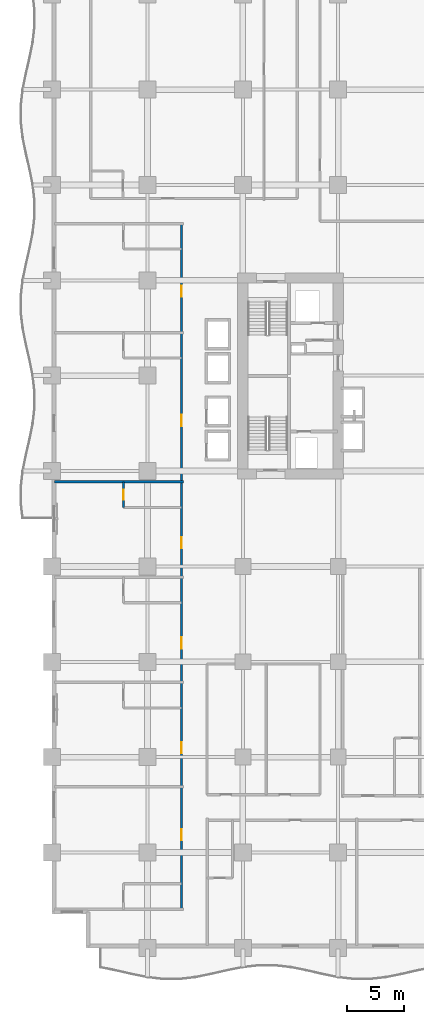
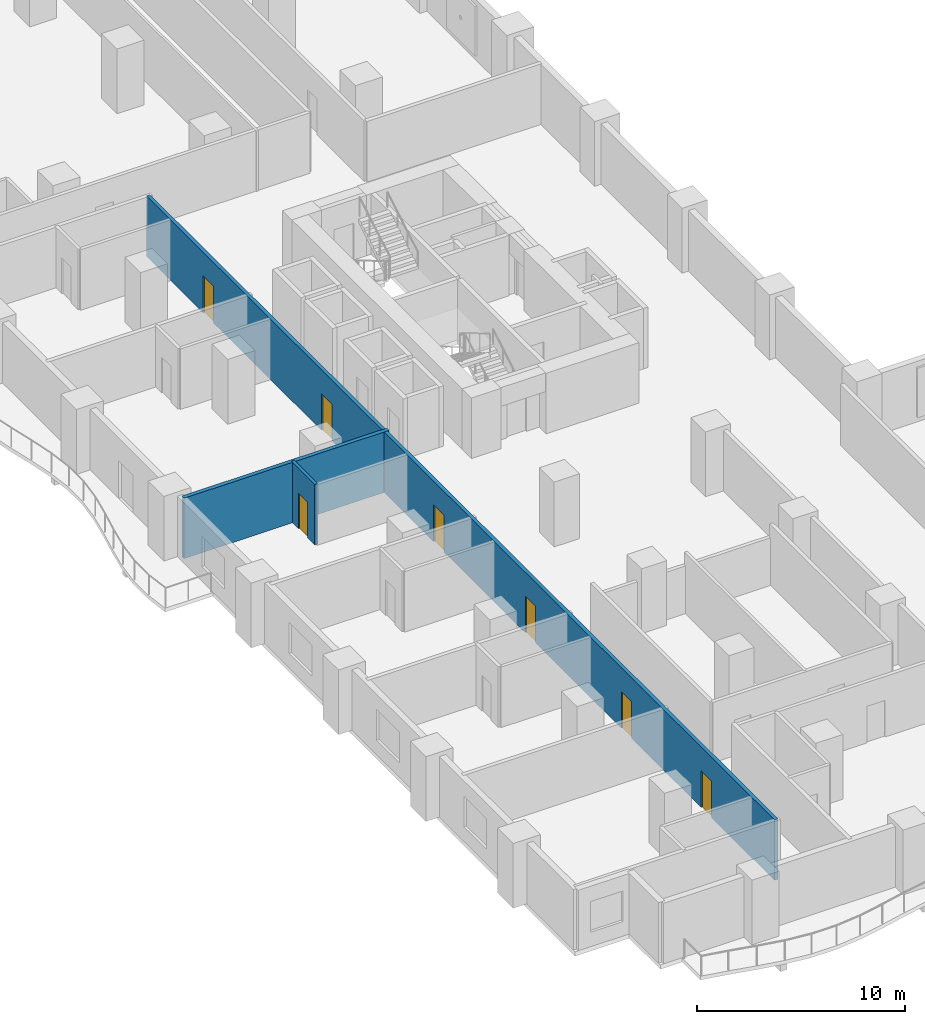
# One storey, part 8 of 22: 7 doors, 3 walls, 7 openings.
"""IFC4 building model written with IfcOpenShell, lengths in metres."""

from ifc_helpers import new_model, si_unit, direction, frame, frame_2d, origin, place, context, subcontext, project, spatial, rectangle, extrude, material, layer, layer_set, type_object, element, fill, save


model = new_model("IFC4")

# Units and contexts
model_context = context("Model", 3, precision=1e-05, world=origin(), true_north=direction((0.0, 1.0)))
body_context = subcontext(model_context, "Body", "Model", "MODEL_VIEW")
ifc_project = project(units=[si_unit("LENGTHUNIT", "METRE"), si_unit("AREAUNIT", "SQUARE_METRE"), si_unit("VOLUMEUNIT", "CUBIC_METRE"), si_unit("PLANEANGLEUNIT", "RADIAN"), si_unit("MASSUNIT", "GRAM", prefix="KILO")], contexts=[model_context])

# Site, building, storey
site_placement = place(None, origin())
site = spatial("IfcSite", under=ifc_project, at=site_placement, CompositionType="ELEMENT")
building_placement = place(site_placement, origin())
building = spatial("IfcBuilding", under=site, at=building_placement, Name="Koriwani Terraces Tower", CompositionType="ELEMENT")
storey_placement = place(building_placement, frame((0.0, 0.0, 43.39990234375)))
storey = spatial("IfcBuildingStorey", under=building, at=storey_placement, Name="L09", CompositionType="ELEMENT", Elevation=43.39990234375)

# Wall, openings, doors
ifc_material_1 = material(Name="Autoclaved Cellular Concrete Blockwork", Category="masonry")
ifc_layer_1 = layer(ifc_material_1, 0.199951171875, Name="Autoclaved Cellular Concrete Blockwork")
ifc_layer_set_1 = layer_set([ifc_layer_1], Name="Autoclaved Cellular Concrete Blockwork")
wall_type_1 = type_object("IfcWallType", Name="WALL_CORRIDOR_200", PredefinedType="PARTITIONING", material=ifc_layer_set_1)
wall_1_placement = place(storey_placement, frame((11.39990234375, 3.39990234375, 0.0), z_axis=(0.0, 0.0, 1.0), x_axis=(0.0, 1.0, 0.0)))
wall_1 = element("IfcWall", 1, at=wall_1_placement, inside=storey, type_object=wall_type_1, Name="L09 Interior Wall WCOR-L09-NW-0", PredefinedType="PARTITIONING", context=body_context, shape_type="SweptSolid", body=[
    extrude(rectangle(XDim=60.400146484375, YDim=0.199951171875, at=frame_2d((30.2001953125, 0.0))), origin(), (0.0, 0.0, 1.0), 3.550048828125),
])
opening_1_placement = place(wall_1_placement, frame((6.06494140625, 0.0, 0.0)))
opening_1 = element("IfcOpeningElement", 2, at=opening_1_placement, cuts=wall_1, Name="Opening D-05", PredefinedType="OPENING", context=body_context, shape_type="SweptSolid", body=[
    extrude(rectangle(XDim=1.0, YDim=2.14990234375, at=frame_2d((0.5, 1.074951171875))), frame((0.0, 0.10986328125, 0.0), z_axis=(0.0, -1.0, 0.0), x_axis=(1.0, 0.0, 0.0)), (0.0, 0.0, 1.0), 0.219970703125),
])
opening_2_placement = place(wall_1_placement, frame((13.735107421875, 0.0, 0.0)))
opening_2 = element("IfcOpeningElement", 3, at=opening_2_placement, cuts=wall_1, Name="Opening D-05", PredefinedType="OPENING", context=body_context, shape_type="SweptSolid", body=[
    extrude(rectangle(XDim=1.0, YDim=2.14990234375, at=frame_2d((0.5, 1.074951171875))), frame((0.0, 0.10986328125, 0.0), z_axis=(0.0, -1.0, 0.0), x_axis=(1.0, 0.0, 0.0)), (0.0, 0.0, 1.0), 0.219970703125),
])
opening_3_placement = place(wall_1_placement, frame((22.9599609375, 0.0, 0.0)))
opening_3 = element("IfcOpeningElement", 4, at=opening_3_placement, cuts=wall_1, Name="Opening D-05", PredefinedType="OPENING", context=body_context, shape_type="SweptSolid", body=[
    extrude(rectangle(XDim=1.0, YDim=2.14990234375, at=frame_2d((0.5, 1.074951171875))), frame((0.0, 0.10986328125, 0.0), z_axis=(0.0, -1.0, 0.0), x_axis=(1.0, 0.0, 0.0)), (0.0, 0.0, 1.0), 0.219970703125),
])
opening_4_placement = place(wall_1_placement, frame((31.784912109375, 0.0, 0.0)))
opening_4 = element("IfcOpeningElement", 5, at=opening_4_placement, cuts=wall_1, Name="Opening D-05", PredefinedType="OPENING", context=body_context, shape_type="SweptSolid", body=[
    extrude(rectangle(XDim=1.0, YDim=2.14990234375, at=frame_2d((0.5, 1.074951171875))), frame((0.0, 0.10986328125, 0.0), z_axis=(0.0, -1.0, 0.0), x_axis=(1.0, 0.0, 0.0)), (0.0, 0.0, 1.0), 0.219970703125),
])
opening_5_placement = place(wall_1_placement, frame((42.56005859375, 0.0, 0.0)))
opening_5 = element("IfcOpeningElement", 6, at=opening_5_placement, cuts=wall_1, Name="Opening D-05", PredefinedType="OPENING", context=body_context, shape_type="SweptSolid", body=[
    extrude(rectangle(XDim=1.0, YDim=2.14990234375, at=frame_2d((0.5, 1.074951171875))), frame((0.0, 0.10986328125, 0.0), z_axis=(0.0, -1.0, 0.0), x_axis=(1.0, 0.0, 0.0)), (0.0, 0.0, 1.0), 0.219970703125),
])
opening_6_placement = place(wall_1_placement, frame((53.93505859375, 0.0, 0.0)))
opening_6 = element("IfcOpeningElement", 7, at=opening_6_placement, cuts=wall_1, Name="Opening D-05", PredefinedType="OPENING", context=body_context, shape_type="SweptSolid", body=[
    extrude(rectangle(XDim=1.0, YDim=2.14990234375, at=frame_2d((0.5, 1.074951171875))), frame((0.0, 0.10986328125, 0.0), z_axis=(0.0, -1.0, 0.0), x_axis=(1.0, 0.0, 0.0)), (0.0, 0.0, 1.0), 0.219970703125),
])
ifc_material_2 = material(Name="Architectural Oak Fire Door", Category="wood")
door_type_1 = type_object("IfcDoorType", Name="DOOR_SUITE_ENTRY_1000X2150", OperationType="NOTDEFINED", PredefinedType="DOOR", material=ifc_material_2)
door_1_placement = place(opening_1_placement, origin())
door_1 = element("IfcDoor", 8, at=door_1_placement, inside=storey, type_object=door_type_1, Name="Luxury Hotel Suite 09NW1 Entrance Door", OperationType="SINGLE_SWING_LEFT", OverallHeight=2.14990234375, OverallWidth=1.0, PredefinedType="DOOR", context=body_context, shape_type="SweptSolid", body=[
    extrude(rectangle(XDim=1.0, YDim=2.14990234375, at=frame_2d((0.5, 1.074951171875))), frame((0.0, 0.02490234375, 0.0), z_axis=(0.0, -1.0, 0.0), x_axis=(1.0, 0.0, 0.0)), (0.0, 0.0, 1.0), 0.050048828125),
])
fill(opening_1, door_1)
door_2_placement = place(opening_2_placement, origin())
door_2 = element("IfcDoor", 9, at=door_2_placement, inside=storey, type_object=door_type_1, Name="Luxury Hotel Suite 09NW2 Entrance Door", OperationType="SINGLE_SWING_LEFT", OverallHeight=2.14990234375, OverallWidth=1.0, PredefinedType="DOOR", context=body_context, shape_type="SweptSolid", body=[
    extrude(rectangle(XDim=1.0, YDim=2.14990234375, at=frame_2d((0.5, 1.074951171875))), frame((0.0, 0.02490234375, 0.0), z_axis=(0.0, -1.0, 0.0), x_axis=(1.0, 0.0, 0.0)), (0.0, 0.0, 1.0), 0.050048828125),
])
fill(opening_2, door_2)
door_3_placement = place(opening_3_placement, origin())
door_3 = element("IfcDoor", 10, at=door_3_placement, inside=storey, type_object=door_type_1, Name="Luxury Hotel Suite 09NW3 Entrance Door", OperationType="SINGLE_SWING_LEFT", OverallHeight=2.14990234375, OverallWidth=1.0, PredefinedType="DOOR", context=body_context, shape_type="SweptSolid", body=[
    extrude(rectangle(XDim=1.0, YDim=2.14990234375, at=frame_2d((0.5, 1.074951171875))), frame((0.0, 0.02490234375, 0.0), z_axis=(0.0, -1.0, 0.0), x_axis=(1.0, 0.0, 0.0)), (0.0, 0.0, 1.0), 0.050048828125),
])
fill(opening_3, door_3)
door_4_placement = place(opening_4_placement, origin())
door_4 = element("IfcDoor", 11, at=door_4_placement, inside=storey, type_object=door_type_1, Name="Luxury Hotel Suite 09NW4 Entrance Door", OperationType="SINGLE_SWING_LEFT", OverallHeight=2.14990234375, OverallWidth=1.0, PredefinedType="DOOR", context=body_context, shape_type="SweptSolid", body=[
    extrude(rectangle(XDim=1.0, YDim=2.14990234375, at=frame_2d((0.5, 1.074951171875))), frame((0.0, 0.02490234375, 0.0), z_axis=(0.0, -1.0, 0.0), x_axis=(1.0, 0.0, 0.0)), (0.0, 0.0, 1.0), 0.050048828125),
])
fill(opening_4, door_4)
door_5_placement = place(opening_5_placement, origin())
door_5 = element("IfcDoor", 12, at=door_5_placement, inside=storey, type_object=door_type_1, Name="Luxury Hotel Suite 09NW5 Entrance Door", OperationType="SINGLE_SWING_LEFT", OverallHeight=2.14990234375, OverallWidth=1.0, PredefinedType="DOOR", context=body_context, shape_type="SweptSolid", body=[
    extrude(rectangle(XDim=1.0, YDim=2.14990234375, at=frame_2d((0.5, 1.074951171875))), frame((0.0, 0.02490234375, 0.0), z_axis=(0.0, -1.0, 0.0), x_axis=(1.0, 0.0, 0.0)), (0.0, 0.0, 1.0), 0.050048828125),
])
fill(opening_5, door_5)
door_6_placement = place(opening_6_placement, origin())
door_6 = element("IfcDoor", 13, at=door_6_placement, inside=storey, type_object=door_type_1, Name="Luxury Hotel Suite 09NW6 Entrance Door", OperationType="SINGLE_SWING_LEFT", OverallHeight=2.14990234375, OverallWidth=1.0, PredefinedType="DOOR", context=body_context, shape_type="SweptSolid", body=[
    extrude(rectangle(XDim=1.0, YDim=2.14990234375, at=frame_2d((0.5, 1.074951171875))), frame((0.0, 0.02490234375, 0.0), z_axis=(0.0, -1.0, 0.0), x_axis=(1.0, 0.0, 0.0)), (0.0, 0.0, 1.0), 0.050048828125),
])
fill(opening_6, door_6)

# Wall
ifc_layer_2 = layer(ifc_material_1, 0.219970703125, Name="Autoclaved Cellular Concrete Blockwork")
ifc_layer_set_2 = layer_set([ifc_layer_2], Name="Autoclaved Cellular Concrete Blockwork")
wall_type_2 = type_object("IfcWallType", Name="WALL_DEMISING_220", PredefinedType="PARTITIONING", material=ifc_layer_set_2)
wall_2_placement = place(storey_placement, frame((0.199951171875, 41.050048828125, 0.0), z_axis=(0.0, 0.0, 1.0), x_axis=(1.0, 0.0, 0.0)))
element("IfcWall", 14, at=wall_2_placement, inside=storey, type_object=wall_type_2, Name="L09 Interior Wall WDEM-L09-NW-4", PredefinedType="PARTITIONING", context=body_context, shape_type="SweptSolid", body=[
    extrude(rectangle(XDim=11.380126953125, YDim=0.219970703125, at=frame_2d((5.68994140625, 0.0))), origin(), (0.0, 0.0, 1.0), 3.550048828125),
])

# Wall, opening, door
ifc_material_3 = material(Name="Fire-Rated Acoustic Gypsum Partition", Category="masonry")
ifc_layer_3 = layer(ifc_material_3, 0.179931640625, Name="Fire-Rated Acoustic Gypsum Partition")
ifc_layer_set_3 = layer_set([ifc_layer_3], Name="Fire-Rated Acoustic Gypsum Partition")
wall_type_3 = type_object("IfcWallType", Name="WALL_PLUMBING_180", PredefinedType="PLUMBINGWALL", material=ifc_layer_set_3)
wall_3_placement = place(storey_placement, frame((6.300048828125, 38.800048828125, 0.0), z_axis=(0.0, 0.0, 1.0), x_axis=(0.0, 1.0, 0.0)))
wall_3 = element("IfcWall", 15, at=wall_3_placement, inside=storey, type_object=wall_type_3, Name="L09 Interior Wall WBTH1-L09-NW-3", PredefinedType="PLUMBINGWALL", context=body_context, shape_type="SweptSolid", body=[
    extrude(rectangle(XDim=2.25, YDim=0.179931640625, at=frame_2d((1.125, 0.0))), origin(), (0.0, 0.0, 1.0), 3.550048828125),
])
opening_7_placement = place(wall_3_placement, frame((0.675048828125, 0.0, 0.0)))
opening_7 = element("IfcOpeningElement", 16, at=opening_7_placement, cuts=wall_3, Name="Opening D-07", PredefinedType="OPENING", context=body_context, shape_type="SweptSolid", body=[
    extrude(rectangle(XDim=0.89990234375, YDim=2.10009765625, at=frame_2d((0.449951171875, 1.050048828125))), frame((0.0, 0.10009765625, 0.0), z_axis=(0.0, -1.0, 0.0), x_axis=(1.0, 0.0, 0.0)), (0.0, 0.0, 1.0), 0.199951171875),
])
door_type_2 = type_object("IfcDoorType", Name="DOOR_BATH_INT_900X2100", OperationType="NOTDEFINED", PredefinedType="DOOR", material=ifc_material_2)
door_7_placement = place(opening_7_placement, origin())
door_7 = element("IfcDoor", 17, at=door_7_placement, inside=storey, type_object=door_type_2, Name="En-Suite Bathroom 09NW4 Door", OperationType="SINGLE_SWING_RIGHT", OverallHeight=2.10009765625, OverallWidth=0.89990234375, PredefinedType="DOOR", context=body_context, shape_type="SweptSolid", body=[
    extrude(rectangle(XDim=0.89990234375, YDim=2.10009765625, at=frame_2d((0.449951171875, 1.050048828125))), frame((0.0, 0.02490234375, 0.0), z_axis=(0.0, -1.0, 0.0), x_axis=(1.0, 0.0, 0.0)), (0.0, 0.0, 1.0), 0.050048828125),
])
fill(opening_7, door_7)

save(model, "model.ifc")
